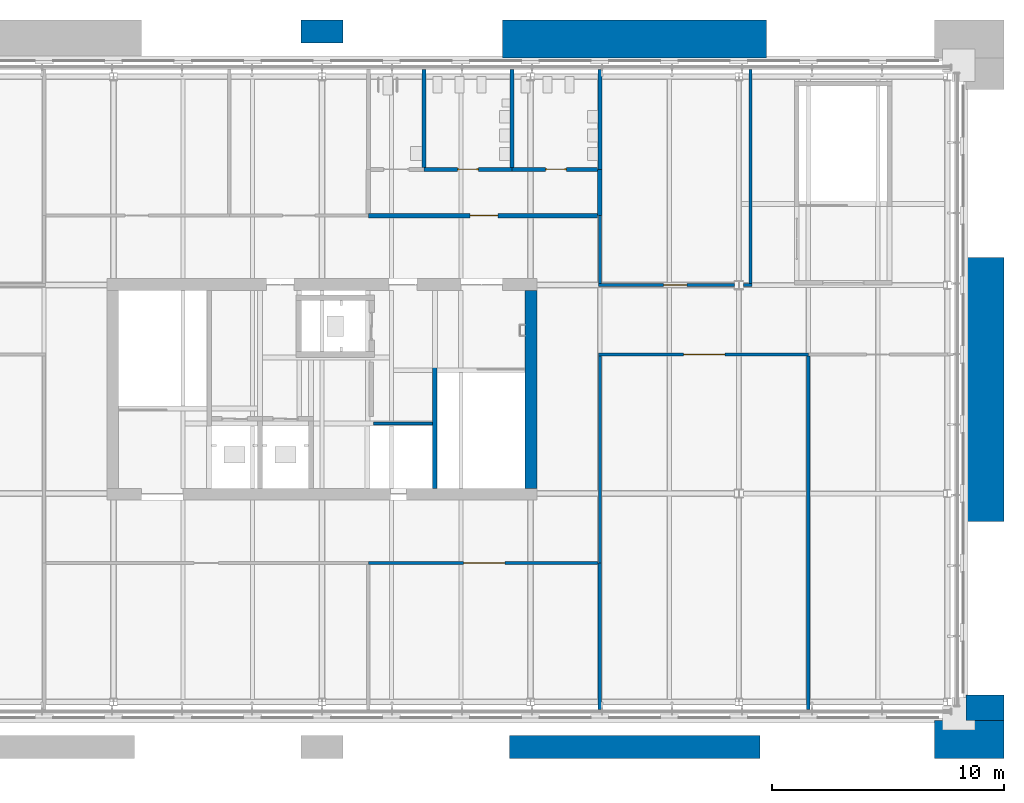
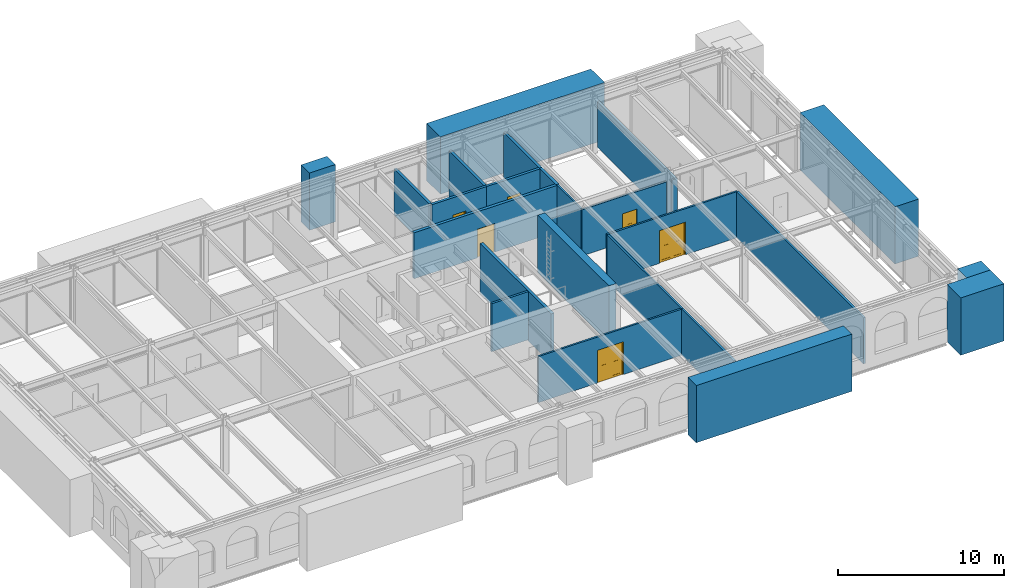
# One storey, part 14 of 24: 25 walls, 6 doors, 6 openings.
"""IFC4 building model written with IfcOpenShell, lengths in metres."""

import ifcopenshell
import ifcopenshell.guid

model = None  # the IFC model being written
_history = None  # IfcOwnerHistory: only IFC2X3 demands one
_inside = {}  # id of a spatial element -> (the spatial element, [elements in it])
_under = {}  # id of a project, library or spatial element -> (it, [spatial elements below it])
_declared = {}  # id of a project -> (the project, [libraries it declares])
_typed = {}  # id of a type object -> (the type object, [elements of that type])
_made_of = {}  # id of a material, layer set ... -> (it, [elements and type objects made of it])


def new_model(schema):
    """Start an empty IFC model of exactly this schema.

    Asked for "IFC4X3", IfcOpenShell would pick the latest addendum, in which some entities
    have other attributes; the version numbers below select the first issue.
    IFC2X3 requires an IfcOwnerHistory on every rooted entity: one is made here for all.
    """
    global model, _history
    if schema == "IFC4X3":
        model = ifcopenshell.file(schema_version=(4, 3, 0, 0))
    else:
        model = ifcopenshell.file(schema=schema)
    _inside.clear()
    _under.clear()
    _declared.clear()
    _typed.clear()
    _made_of.clear()
    _history = None
    if model.schema == "IFC2X3":
        org = make("IfcOrganization", Name="unknown")
        user = make(
            "IfcPersonAndOrganization",
            ThePerson=make("IfcPerson", FamilyName="unknown"),
            TheOrganization=org,
        )
        app = make(
            "IfcApplication",
            ApplicationDeveloper=org,
            Version="unknown",
            ApplicationFullName="unknown",
            ApplicationIdentifier="unknown",
        )
        _history = make(
            "IfcOwnerHistory",
            OwningUser=user,
            OwningApplication=app,
            ChangeAction="ADDED",
            CreationDate=0,
        )
    return model


def make(cls, **values):
    """One entity of the class cls with the attributes given. An attribute that is None is left unset."""
    return model.create_entity(
        cls, **{name: value for name, value in values.items() if value is not None}
    )


def rooted(cls, **values):
    """An entity with a GlobalId (a new one), such as an element, a storey or a relation."""
    return make(cls, GlobalId=ifcopenshell.guid.new(), OwnerHistory=_history, **values)


def si_unit(unit_type, name, prefix=None):
    """IfcSIUnit, for example si_unit("LENGTHUNIT", "METRE", prefix="MILLI")."""
    return make("IfcSIUnit", UnitType=unit_type, Prefix=prefix, Name=name)


def assignment(units):
    """IfcUnitAssignment: the units of a project."""
    return None if units is None else make("IfcUnitAssignment", Units=units)


def point(xyz):
    """IfcCartesianPoint."""
    return None if xyz is None else make("IfcCartesianPoint", Coordinates=xyz)


def direction(xyz):
    """IfcDirection."""
    return None if xyz is None else make("IfcDirection", DirectionRatios=xyz)


def frame(location, z_axis=None, x_axis=None):
    """IfcAxis2Placement3D, a coordinate frame: its origin and axes. An axis left out is left unset."""
    return make(
        "IfcAxis2Placement3D",
        Location=point(location),
        Axis=direction(z_axis),
        RefDirection=direction(x_axis),
    )


def frame_2d(location, x_axis=None):
    """IfcAxis2Placement2D, a coordinate frame in the plane: its origin and x axis."""
    return make(
        "IfcAxis2Placement2D", Location=point(location), RefDirection=direction(x_axis)
    )


def origin():
    """The frame at (0, 0, 0) with its axes left unset."""
    return frame((0.0, 0.0, 0.0))


def place(relative_to, where):
    """IfcLocalPlacement: puts the frame where relative to a parent placement (None: the world)."""
    return make(
        "IfcLocalPlacement", PlacementRelTo=relative_to, RelativePlacement=where
    )


def context(
    kind, dimensions, precision=None, world=None, true_north=None, identifier=None
):
    """IfcGeometricRepresentationContext, for example the 3D "Model" context."""
    return make(
        "IfcGeometricRepresentationContext",
        ContextIdentifier=identifier,
        ContextType=kind,
        CoordinateSpaceDimension=dimensions,
        Precision=precision,
        WorldCoordinateSystem=world,
        TrueNorth=true_north,
    )


def subcontext(parent, identifier, kind, view, scale=None):
    """IfcGeometricRepresentationSubContext, for example "Body" below "Model"."""
    return make(
        "IfcGeometricRepresentationSubContext",
        ContextIdentifier=identifier,
        ContextType=kind,
        ParentContext=parent,
        TargetScale=scale,
        TargetView=view,
    )


def project(units=None, contexts=None):
    """IfcProject with its units and contexts."""
    return rooted(
        "IfcProject",
        Name="project",
        RepresentationContexts=contexts,
        UnitsInContext=assignment(units),
    )


def spatial(cls, under=None, at=None, **own):
    """A site, building, storey or space (cls), placed at a placement, below another one or the project."""
    s = rooted(cls, ObjectPlacement=at, **own)
    if under is not None:
        _under.setdefault(under.id(), (under, []))[1].append(s)
    return s


def polyline(points):
    """IfcPolyline through the points."""
    return make("IfcPolyline", Points=[point(p) for p in points])


def profile(cls, at=None, kind="AREA", **sizes):
    """A parametric profile (cls). Its sizes go by their IFC names, for example OverallWidth=200.0."""
    return make(cls, ProfileType=kind, Position=at, **sizes)


def rectangle(**sizes):
    """IfcRectangleProfileDef."""
    return profile("IfcRectangleProfileDef", **sizes)


def outline(outer, holes=None, kind="AREA"):
    """IfcArbitraryClosedProfileDef: a profile drawn as a closed curve; with holes, ...WithVoids."""
    if holes is None:
        return make("IfcArbitraryClosedProfileDef", ProfileType=kind, OuterCurve=outer)
    return make(
        "IfcArbitraryProfileDefWithVoids",
        ProfileType=kind,
        OuterCurve=outer,
        InnerCurves=holes,
    )


def extrude(swept, where, along, depth):
    """IfcExtrudedAreaSolid: the profile swept, set in the frame where, extruded along a direction by depth."""
    return make(
        "IfcExtrudedAreaSolid",
        SweptArea=swept,
        Position=where,
        ExtrudedDirection=direction(along),
        Depth=depth,
    )


def shape(context_of_items, identifier, shape_type, items):
    """IfcShapeRepresentation: the items that make up one representation, for example the "Body"."""
    return make(
        "IfcShapeRepresentation",
        ContextOfItems=context_of_items,
        RepresentationIdentifier=identifier,
        RepresentationType=shape_type,
        Items=items,
    )


def material(Name=None, Category=None):
    """IfcMaterial."""
    return make("IfcMaterial", Name=Name, Category=Category)


def layer(
    of_material, thickness, ventilated=None, Name=None, Category=None, Priority=None
):
    """IfcMaterialLayer: one layer of a wall or slab, of a material (None: an air gap)."""
    return make(
        "IfcMaterialLayer",
        Material=of_material,
        LayerThickness=thickness,
        IsVentilated=ventilated,
        Name=Name,
        Category=Category,
        Priority=Priority,
    )


def layer_set(layers, Name=None):
    """IfcMaterialLayerSet."""
    return make("IfcMaterialLayerSet", MaterialLayers=layers, LayerSetName=Name)


def made_of(thing, what):
    """Note that an element or type object is made of a material, layer set ...; save() writes the relation."""
    if what is not None:
        _made_of.setdefault(what.id(), (what, []))[1].append(thing)
    return thing


def type_object(cls, material=None, **own):
    """A type object (cls), such as IfcWallType, which elements share."""
    return made_of(rooted(cls, **own), material)


def element(
    cls,
    number,
    at=None,
    inside=None,
    cuts=None,
    type_object=None,
    material=None,
    context=None,
    identifier="Body",
    shape_type=None,
    held_by="IfcProductDefinitionShape",
    body=None,
    shapes=None,
    **own,
):
    """One element of the class cls, such as IfcWall. Its Tag is "e" and its number.

    at: its placement. inside: the storey or other place that contains it. cuts: it is an
    opening in that element (IfcRelVoidsElement). A single representation is given by context,
    identifier, shape_type and body (its items); several are given by shapes. held_by: the class
    of the entity that holds the representations. save() writes the other relations.
    """
    e = rooted(cls, Tag="e%d" % number, ObjectPlacement=at, **own)
    if body is not None:
        shapes = [shape(context, identifier, shape_type, body)]
    if shapes is not None:
        e.Representation = make(held_by, Representations=shapes)
    if inside is not None:
        _inside.setdefault(inside.id(), (inside, []))[1].append(e)
    if cuts is not None:
        rooted(
            "IfcRelVoidsElement", RelatingBuildingElement=cuts, RelatedOpeningElement=e
        )
    if type_object is not None:
        _typed.setdefault(type_object.id(), (type_object, []))[1].append(e)
    return made_of(e, material)


def fill(opening, filler):
    """IfcRelFillsElement: the door or window that sits in an opening."""
    return rooted(
        "IfcRelFillsElement",
        RelatingOpeningElement=opening,
        RelatedBuildingElement=filler,
    )


def aggregate(whole, parts):
    """IfcRelAggregates: a whole, such as a stair, and the parts it consists of."""
    return rooted("IfcRelAggregates", RelatingObject=whole, RelatedObjects=parts)


def save(model, path):
    """Write the relations noted so far, then the file.

    IfcRelAggregates (storeys below a building ...), IfcRelContainedInSpatialStructure (elements
    in a storey), IfcRelDefinesByType, IfcRelAssociatesMaterial and IfcRelDeclares: one each for
    every whole, place, type object, material and project.
    """
    for whole, parts in _under.values():
        aggregate(whole, parts)
    for where, things in _inside.values():
        rooted(
            "IfcRelContainedInSpatialStructure",
            RelatedElements=things,
            RelatingStructure=where,
        )
    for kind, things in _typed.values():
        rooted("IfcRelDefinesByType", RelatedObjects=things, RelatingType=kind)
    for what, things in _made_of.values():
        rooted("IfcRelAssociatesMaterial", RelatedObjects=things, RelatingMaterial=what)
    for by, libraries in _declared.values():
        rooted("IfcRelDeclares", RelatingContext=by, RelatedDefinitions=libraries)
    model.write(path)


model = new_model("IFC4")

# Units and contexts
model_context = context("Model", 3, precision=1e-05, world=origin(), true_north=direction((0.0, 1.0)))
body_context = subcontext(model_context, "Body", "Model", "MODEL_VIEW")
ifc_project = project(units=[si_unit("LENGTHUNIT", "METRE"), si_unit("AREAUNIT", "SQUARE_METRE"), si_unit("VOLUMEUNIT", "CUBIC_METRE"), si_unit("PLANEANGLEUNIT", "RADIAN"), si_unit("MASSUNIT", "GRAM", prefix="KILO")], contexts=[model_context])

# Site, building, storey
site_placement = place(None, origin())
site = spatial("IfcSite", under=ifc_project, at=site_placement, CompositionType="ELEMENT")
building_placement = place(site_placement, origin())
building = spatial("IfcBuilding", under=site, at=building_placement, Name="Baradari Gate Terminus", CompositionType="ELEMENT")
storey_placement = place(building_placement, frame((0.0, 0.0, 32.699951171875)))
storey = spatial("IfcBuildingStorey", under=building, at=storey_placement, Name="L07", CompositionType="ELEMENT", Elevation=32.699951171875)

# Wall, opening, door
ifc_material_1 = material(Name="Gypsum board")
ifc_layer_1 = layer(ifc_material_1, 0.125)
ifc_layer_set_1 = layer_set([ifc_layer_1], Name="Gypsum board")
wall_type_1 = type_object("IfcWallType", Name="Corridor partition PT-5 125 EI 30", PredefinedType="PARTITIONING", material=ifc_layer_set_1)
wall_1_placement = place(storey_placement, frame((47.925048828125, 123.0, 0.0), z_axis=(0.0, 0.0, 1.0), x_axis=(-1.0, 0.0, 0.0)))
wall_1 = element("IfcWall", 1, at=wall_1_placement, inside=storey, type_object=wall_type_1, Name="PT-5 partition Corridor / Training Classroom 2", PredefinedType="PARTITIONING", context=body_context, shape_type="SweptSolid", body=[
    extrude(rectangle(XDim=9.925048828125, YDim=0.125, at=frame_2d((4.96240234375, 0.0))), origin(), (0.0, 0.0, 1.0), 3.382080078125),
])
opening_1_placement = place(wall_1_placement, frame((4.02490234375, 0.0, 0.0)))
opening_1 = element("IfcOpeningElement", 2, at=opening_1_placement, cuts=wall_1, Name="Opening D07-023", PredefinedType="OPENING", context=body_context, shape_type="SweptSolid", body=[
    extrude(rectangle(XDim=1.800048828125, YDim=2.39990234375, at=frame_2d((0.89990234375, 1.199951171875))), frame((0.0, 0.072509765625, 0.0), z_axis=(0.0, -1.0, 0.0), x_axis=(1.0, 0.0, 0.0)), (0.0, 0.0, 1.0), 0.14501953125),
])
ifc_material_2 = material(Name="Steel S275", Category="steel")
door_type_1 = type_object("IfcDoorType", Name="Fire door FI-1800x2400-FD30S 1800x2400 FD30S", OperationType="DOUBLE_DOOR_SINGLE_SWING", PredefinedType="DOOR", material=ifc_material_2)
door_1_placement = place(opening_1_placement, origin())
door_1 = element("IfcDoor", 3, at=door_1_placement, inside=storey, type_object=door_type_1, Name="Door Training Classroom 2", OperationType="DOUBLE_DOOR_SINGLE_SWING", OverallHeight=2.4, OverallWidth=1.8, PredefinedType="DOOR", context=body_context, shape_type="SweptSolid", body=[
    extrude(outline(polyline([(0.0, 0.0), (0.070068359375, 0.0), (0.070068359375, 2.329833984375), (1.72998046875, 2.329833984375), (1.72998046875, 0.0), (1.800048828125, 0.0), (1.800048828125, 2.39990234375), (0.0, 2.39990234375), (0.0, 0.0)])), frame((0.0, 0.02490234375, 0.0), z_axis=(0.0, -1.0, 0.0), x_axis=(1.0, 0.0, 0.0)), (0.0, 0.0, 1.0), 0.050048828125),
    extrude(outline(polyline([(0.073974609375, 0.010009765625), (0.89697265625, 0.010009765625), (0.89697265625, 2.325927734375), (0.073974609375, 2.325927734375), (0.073974609375, 0.010009765625)]), holes=[polyline([(0.194091796875, 0.159912109375), (0.77685546875, 0.159912109375), (0.77685546875, 1.010009765625), (0.194091796875, 1.010009765625), (0.194091796875, 0.159912109375)]), polyline([(0.33544921875, 1.159912109375), (0.635498046875, 1.159912109375), (0.635498046875, 1.760009765625), (0.33544921875, 1.760009765625), (0.33544921875, 1.159912109375)])]), frame((0.0, 0.017333984375, 0.0), z_axis=(0.0, -1.0, 0.0), x_axis=(1.0, 0.0, 0.0)), (0.0, 0.0, 1.0), 0.034912109375),
    extrude(rectangle(XDim=0.582763671875, YDim=0.85009765625, at=frame_2d((0.4853515625, 0.5849609375))), frame((0.0, 0.008544921875, 0.0), z_axis=(0.0, -1.0, 0.0), x_axis=(1.0, 0.0, 0.0)), (0.0, 0.0, 1.0), 0.017333984375),
    extrude(rectangle(XDim=0.300048828125, YDim=0.60009765625, at=frame_2d((0.4853515625, 1.4599609375))), frame((0.0, 0.005859375, 0.0), z_axis=(0.0, -1.0, 0.0), x_axis=(1.0, 0.0, 0.0)), (0.0, 0.0, 1.0), 0.011962890625),
    extrude(outline(polyline([(0.903076171875, 0.010009765625), (1.72607421875, 0.010009765625), (1.72607421875, 2.325927734375), (0.903076171875, 2.325927734375), (0.903076171875, 0.010009765625)]), holes=[polyline([(1.023193359375, 0.159912109375), (1.60595703125, 0.159912109375), (1.60595703125, 1.010009765625), (1.023193359375, 1.010009765625), (1.023193359375, 0.159912109375)]), polyline([(1.16455078125, 1.159912109375), (1.464599609375, 1.159912109375), (1.464599609375, 1.760009765625), (1.16455078125, 1.760009765625), (1.16455078125, 1.159912109375)])]), frame((0.0, 0.017333984375, 0.0), z_axis=(0.0, -1.0, 0.0), x_axis=(1.0, 0.0, 0.0)), (0.0, 0.0, 1.0), 0.034912109375),
    extrude(rectangle(XDim=0.582763671875, YDim=0.85009765625, at=frame_2d((1.314453125, 0.5849609375))), frame((0.0, 0.008544921875, 0.0), z_axis=(0.0, -1.0, 0.0), x_axis=(1.0, 0.0, 0.0)), (0.0, 0.0, 1.0), 0.017333984375),
    extrude(rectangle(XDim=0.300048828125, YDim=0.60009765625, at=frame_2d((1.314453125, 1.4599609375))), frame((0.0, 0.005859375, 0.0), z_axis=(0.0, -1.0, 0.0), x_axis=(1.0, 0.0, 0.0)), (0.0, 0.0, 1.0), 0.011962890625),
])
fill(opening_1, door_1)

wall_2_placement = place(storey_placement, frame((57.0, 132.0, 0.0), z_axis=(0.0, 0.0, 1.0), x_axis=(-1.0, 0.0, 0.0)))
wall_2 = element("IfcWall", 4, at=wall_2_placement, inside=storey, type_object=wall_type_1, Name="PT-5 partition Corridor / Staff Canteen", PredefinedType="PARTITIONING", context=body_context, shape_type="SweptSolid", body=[
    extrude(rectangle(XDim=9.0625, YDim=0.125, at=frame_2d((4.53125, 0.0))), origin(), (0.0, 0.0, 1.0), 3.382080078125),
])
opening_2_placement = place(wall_2_placement, frame((3.60009765625, 0.0, 0.0)))
opening_2 = element("IfcOpeningElement", 5, at=opening_2_placement, cuts=wall_2, Name="Opening D07-018", PredefinedType="OPENING", context=body_context, shape_type="SweptSolid", body=[
    extrude(rectangle(XDim=1.800048828125, YDim=2.39990234375, at=frame_2d((0.89990234375, 1.199951171875))), frame((0.0, 0.072509765625, 0.0), z_axis=(0.0, -1.0, 0.0), x_axis=(1.0, 0.0, 0.0)), (0.0, 0.0, 1.0), 0.14501953125),
])
door_2_placement = place(opening_2_placement, origin())
door_2 = element("IfcDoor", 6, at=door_2_placement, inside=storey, type_object=door_type_1, Name="Door Staff Canteen", OperationType="DOUBLE_DOOR_SINGLE_SWING", OverallHeight=2.4, OverallWidth=1.8, PredefinedType="DOOR", context=body_context, shape_type="SweptSolid", body=[
    extrude(outline(polyline([(0.0, 0.0), (0.070068359375, 0.0), (0.070068359375, 2.329833984375), (1.72998046875, 2.329833984375), (1.72998046875, 0.0), (1.800048828125, 0.0), (1.800048828125, 2.39990234375), (0.0, 2.39990234375), (0.0, 0.0)])), frame((0.0, 0.02490234375, 0.0), z_axis=(0.0, -1.0, 0.0), x_axis=(1.0, 0.0, 0.0)), (0.0, 0.0, 1.0), 0.050048828125),
    extrude(outline(polyline([(0.073974609375, 0.010009765625), (0.89697265625, 0.010009765625), (0.89697265625, 2.325927734375), (0.073974609375, 2.325927734375), (0.073974609375, 0.010009765625)]), holes=[polyline([(0.194091796875, 0.159912109375), (0.77685546875, 0.159912109375), (0.77685546875, 1.010009765625), (0.194091796875, 1.010009765625), (0.194091796875, 0.159912109375)]), polyline([(0.33544921875, 1.159912109375), (0.635498046875, 1.159912109375), (0.635498046875, 1.760009765625), (0.33544921875, 1.760009765625), (0.33544921875, 1.159912109375)])]), frame((0.0, 0.017333984375, 0.0), z_axis=(0.0, -1.0, 0.0), x_axis=(1.0, 0.0, 0.0)), (0.0, 0.0, 1.0), 0.034912109375),
    extrude(rectangle(XDim=0.582763671875, YDim=0.85009765625, at=frame_2d((0.4853515625, 0.5849609375))), frame((0.0, 0.008544921875, 0.0), z_axis=(0.0, -1.0, 0.0), x_axis=(1.0, 0.0, 0.0)), (0.0, 0.0, 1.0), 0.017333984375),
    extrude(rectangle(XDim=0.300048828125, YDim=0.60009765625, at=frame_2d((0.4853515625, 1.4599609375))), frame((0.0, 0.005859375, 0.0), z_axis=(0.0, -1.0, 0.0), x_axis=(1.0, 0.0, 0.0)), (0.0, 0.0, 1.0), 0.011962890625),
    extrude(outline(polyline([(0.903076171875, 0.010009765625), (1.72607421875, 0.010009765625), (1.72607421875, 2.325927734375), (0.903076171875, 2.325927734375), (0.903076171875, 0.010009765625)]), holes=[polyline([(1.023193359375, 0.159912109375), (1.60595703125, 0.159912109375), (1.60595703125, 1.010009765625), (1.023193359375, 1.010009765625), (1.023193359375, 0.159912109375)]), polyline([(1.16455078125, 1.159912109375), (1.464599609375, 1.159912109375), (1.464599609375, 1.760009765625), (1.16455078125, 1.760009765625), (1.16455078125, 1.159912109375)])]), frame((0.0, 0.017333984375, 0.0), z_axis=(0.0, -1.0, 0.0), x_axis=(1.0, 0.0, 0.0)), (0.0, 0.0, 1.0), 0.034912109375),
    extrude(rectangle(XDim=0.582763671875, YDim=0.85009765625, at=frame_2d((1.314453125, 0.5849609375))), frame((0.0, 0.008544921875, 0.0), z_axis=(0.0, -1.0, 0.0), x_axis=(1.0, 0.0, 0.0)), (0.0, 0.0, 1.0), 0.017333984375),
    extrude(rectangle(XDim=0.300048828125, YDim=0.60009765625, at=frame_2d((1.314453125, 1.4599609375))), frame((0.0, 0.005859375, 0.0), z_axis=(0.0, -1.0, 0.0), x_axis=(1.0, 0.0, 0.0)), (0.0, 0.0, 1.0), 0.011962890625),
])
fill(opening_2, door_2)

# Walls
wall_3_placement = place(storey_placement, frame((48.0, 131.9375, 0.0), z_axis=(0.0, 0.0, 1.0), x_axis=(0.0, -1.0, 0.0)))
element("IfcWall", 7, at=wall_3_placement, inside=storey, type_object=wall_type_1, Name="PT-5 partition Corridor / Staff Canteen", PredefinedType="PARTITIONING", context=body_context, shape_type="SweptSolid", body=[
    extrude(rectangle(XDim=8.9375, YDim=0.125, at=frame_2d((4.46875, 0.0))), origin(), (0.0, 0.0, 1.0), 3.382080078125),
])
wall_4_placement = place(storey_placement, frame((48.0, 138.0, 0.0), z_axis=(0.0, 0.0, 1.0), x_axis=(0.0, -1.0, 0.0)))
element("IfcWall", 8, at=wall_4_placement, inside=storey, type_object=wall_type_1, Name="PT-5 partition Corridor / Welfare Store", PredefinedType="PARTITIONING", context=body_context, shape_type="SweptSolid", body=[
    extrude(rectangle(XDim=2.9375, YDim=0.125, at=frame_2d((1.46875, 0.0))), origin(), (0.0, 0.0, 1.0), 3.382080078125),
])

# Wall, opening, door
wall_5_placement = place(storey_placement, frame((47.9375, 135.0, 0.0), z_axis=(0.0, 0.0, 1.0), x_axis=(1.0, 0.0, 0.0)))
wall_5 = element("IfcWall", 9, at=wall_5_placement, inside=storey, type_object=wall_type_1, Name="PT-5 partition Corridor / Welfare Store", PredefinedType="PARTITIONING", context=body_context, shape_type="SweptSolid", body=[
    extrude(rectangle(XDim=5.864990234375, YDim=0.125, at=frame_2d((2.9326171875, 0.0))), origin(), (0.0, 0.0, 1.0), 3.382080078125),
])
opening_3_placement = place(wall_5_placement, frame((2.8125, 0.0, 0.0)))
opening_3 = element("IfcOpeningElement", 10, at=opening_3_placement, cuts=wall_5, Name="Opening D07-024", PredefinedType="OPENING", context=body_context, shape_type="SweptSolid", body=[
    extrude(rectangle(XDim=1.0, YDim=2.10009765625, at=frame_2d((0.5, 1.050048828125))), frame((0.0, 0.072509765625, 0.0), z_axis=(0.0, -1.0, 0.0), x_axis=(1.0, 0.0, 0.0)), (0.0, 0.0, 1.0), 0.14501953125),
])
ifc_material_3 = material(Name="Steel S275", Category="steel")
door_type_2 = type_object("IfcDoorType", Name="Fire door FI-1000-FD30S 1000x2100 FD30S", OperationType="SINGLE_SWING_LEFT", PredefinedType="DOOR", material=ifc_material_3)
door_3_placement = place(opening_3_placement, origin())
door_3 = element("IfcDoor", 11, at=door_3_placement, inside=storey, type_object=door_type_2, Name="Door Welfare Store", OperationType="SINGLE_SWING_LEFT", OverallHeight=2.1, OverallWidth=1.0, PredefinedType="DOOR", context=body_context, shape_type="SweptSolid", body=[
    extrude(outline(polyline([(0.0, 0.0), (0.070068359375, 0.0), (0.070068359375, 2.030029296875), (0.929931640625, 2.030029296875), (0.929931640625, 0.0), (1.0, 0.0), (1.0, 2.10009765625), (0.0, 2.10009765625), (0.0, 0.0)])), frame((0.0, 0.02490234375, 0.0), z_axis=(0.0, -1.0, 0.0), x_axis=(1.0, 0.0, 0.0)), (0.0, 0.0, 1.0), 0.050048828125),
    extrude(outline(polyline([(0.073974609375, 0.010009765625), (0.926025390625, 0.010009765625), (0.926025390625, 2.026123046875), (0.073974609375, 2.026123046875), (0.073974609375, 0.010009765625)]), holes=[polyline([(0.194091796875, 0.159912109375), (0.805908203125, 0.159912109375), (0.805908203125, 1.010009765625), (0.194091796875, 1.010009765625), (0.194091796875, 0.159912109375)]), polyline([(0.35009765625, 1.159912109375), (0.64990234375, 1.159912109375), (0.64990234375, 1.760009765625), (0.35009765625, 1.760009765625), (0.35009765625, 1.159912109375)])]), frame((0.0, 0.017333984375, 0.0), z_axis=(0.0, -1.0, 0.0), x_axis=(1.0, 0.0, 0.0)), (0.0, 0.0, 1.0), 0.034912109375),
    extrude(rectangle(XDim=0.61181640625, YDim=0.85009765625, at=frame_2d((0.5, 0.5849609375))), frame((0.0, 0.008544921875, 0.0), z_axis=(0.0, -1.0, 0.0), x_axis=(1.0, 0.0, 0.0)), (0.0, 0.0, 1.0), 0.017333984375),
    extrude(rectangle(XDim=0.2998046875, YDim=0.60009765625, at=frame_2d((0.5, 1.4599609375))), frame((0.0, 0.005859375, 0.0), z_axis=(0.0, -1.0, 0.0), x_axis=(1.0, 0.0, 0.0)), (0.0, 0.0, 1.0), 0.011962890625),
])
fill(opening_3, door_3)

# Walls
wall_6_placement = place(storey_placement, frame((54.197509765625, 135.0, 0.0), z_axis=(0.0, 0.0, 1.0), x_axis=(1.0, 0.0, 0.0)))
element("IfcWall", 12, at=wall_6_placement, inside=storey, type_object=wall_type_1, Name="PT-5 partition Corridor / Welfare Store", PredefinedType="PARTITIONING", context=body_context, shape_type="SweptSolid", body=[
    extrude(rectangle(XDim=0.364990234375, YDim=0.125, at=frame_2d((0.1826171875, 0.0))), origin(), (0.0, 0.0, 1.0), 3.382080078125),
])
wall_7_placement = place(storey_placement, frame((54.5, 135.0625, 0.0), z_axis=(0.0, 0.0, 1.0), x_axis=(0.0, 1.0, 0.0)))
element("IfcWall", 13, at=wall_7_placement, inside=storey, type_object=wall_type_1, Name="PT-5 partition Corridor (Stair Passage) / Welfare Store", PredefinedType="PARTITIONING", context=body_context, shape_type="SweptSolid", body=[
    extrude(rectangle(XDim=9.25244140625, YDim=0.125, at=frame_2d((4.626220703125, 0.0))), origin(), (0.0, 0.0, 1.0), 3.382080078125),
])

# Wall, opening, door
ifc_material_4 = material(Name="Blockwork wall, plastered, fire rated", Category="masonry")
ifc_layer_2 = layer(ifc_material_4, 0.199951171875)
ifc_layer_set_2 = layer_set([ifc_layer_2], Name="Blockwork wall, plastered, fire rated")
wall_type_2 = type_object("IfcWallType", Name="Lobby partition PT-4 200 EI 60", PredefinedType="PARTITIONING", material=ifc_layer_set_2)
wall_8_placement = place(storey_placement, frame((38.0, 138.0, 0.0), z_axis=(0.0, 0.0, 1.0), x_axis=(1.0, 0.0, 0.0)))
wall_8 = element("IfcWall", 14, at=wall_8_placement, inside=storey, type_object=wall_type_2, Name="PT-4 partition Corridor / WC Lobby", PredefinedType="PARTITIONING", context=body_context, shape_type="SweptSolid", body=[
    extrude(rectangle(XDim=9.89990234375, YDim=0.199951171875, at=frame_2d((4.949951171875, 0.0))), origin(), (0.0, 0.0, 1.0), 3.382080078125),
])
opening_4_placement = place(wall_8_placement, frame((4.39990234375, 0.0, 0.0)))
opening_4 = element("IfcOpeningElement", 15, at=opening_4_placement, cuts=wall_8, Name="Opening D07-011", PredefinedType="OPENING", context=body_context, shape_type="SweptSolid", body=[
    extrude(rectangle(XDim=1.199951171875, YDim=2.10009765625, at=frame_2d((0.60009765625, 1.050048828125))), frame((0.0, 0.10986328125, 0.0), z_axis=(0.0, -1.0, 0.0), x_axis=(1.0, 0.0, 0.0)), (0.0, 0.0, 1.0), 0.219970703125),
])
ifc_material_5 = material(Name="Steel S275", Category="steel")
door_type_3 = type_object("IfcDoorType", Name="Fire door FI-1200-FD60S 1200x2100 FD60S", OperationType="DOUBLE_DOOR_SINGLE_SWING", PredefinedType="DOOR", material=ifc_material_5)
door_4_placement = place(opening_4_placement, origin())
door_4 = element("IfcDoor", 16, at=door_4_placement, inside=storey, type_object=door_type_3, Name="Door WC Lobby", OperationType="DOUBLE_DOOR_SINGLE_SWING", OverallHeight=2.1, OverallWidth=1.2, PredefinedType="DOOR", context=body_context, shape_type="SweptSolid", body=[
    extrude(outline(polyline([(0.0, 0.0), (0.070068359375, 0.0), (0.070068359375, 2.030029296875), (1.1298828125, 2.030029296875), (1.1298828125, 0.0), (1.199951171875, 0.0), (1.199951171875, 2.10009765625), (0.0, 2.10009765625), (0.0, 0.0)])), frame((0.0, 0.02490234375, 0.0), z_axis=(0.0, -1.0, 0.0), x_axis=(1.0, 0.0, 0.0)), (0.0, 0.0, 1.0), 0.050048828125),
    extrude(outline(polyline([(0.073974609375, 0.010009765625), (0.596923828125, 0.010009765625), (0.596923828125, 2.026123046875), (0.073974609375, 2.026123046875), (0.073974609375, 0.010009765625)]), holes=[polyline([(0.178466796875, 0.372802734375), (0.492431640625, 0.372802734375), (0.492431640625, 1.7841796875), (0.178466796875, 1.7841796875), (0.178466796875, 0.372802734375)])]), frame((0.0, 0.017333984375, 0.0), z_axis=(0.0, -1.0, 0.0), x_axis=(1.0, 0.0, 0.0)), (0.0, 0.0, 1.0), 0.034912109375),
    extrude(rectangle(XDim=0.31396484375, YDim=1.411376953125, at=frame_2d((0.33544921875, 1.07861328125))), frame((0.0, 0.008544921875, 0.0), z_axis=(0.0, -1.0, 0.0), x_axis=(1.0, 0.0, 0.0)), (0.0, 0.0, 1.0), 0.017333984375),
    extrude(outline(polyline([(0.60302734375, 0.010009765625), (1.1259765625, 0.010009765625), (1.1259765625, 2.026123046875), (0.60302734375, 2.026123046875), (0.60302734375, 0.010009765625)]), holes=[polyline([(0.70751953125, 0.372802734375), (1.021484375, 0.372802734375), (1.021484375, 1.7841796875), (0.70751953125, 1.7841796875), (0.70751953125, 0.372802734375)])]), frame((0.0, 0.017333984375, 0.0), z_axis=(0.0, -1.0, 0.0), x_axis=(1.0, 0.0, 0.0)), (0.0, 0.0, 1.0), 0.034912109375),
    extrude(rectangle(XDim=0.31396484375, YDim=1.411376953125, at=frame_2d((0.864501953125, 1.07861328125))), frame((0.0, 0.008544921875, 0.0), z_axis=(0.0, -1.0, 0.0), x_axis=(1.0, 0.0, 0.0)), (0.0, 0.0, 1.0), 0.017333984375),
])
fill(opening_4, door_4)

# Walls
wall_9_placement = place(storey_placement, frame((48.0, 140.0, 0.0), z_axis=(0.0, 0.0, 1.0), x_axis=(0.0, -1.0, 0.0)))
element("IfcWall", 17, at=wall_9_placement, inside=storey, type_object=wall_type_2, Name="PT-4 partition WC Lobby / Welfare Store", PredefinedType="PARTITIONING", context=body_context, shape_type="SweptSolid", body=[
    extrude(rectangle(XDim=2.0, YDim=0.199951171875, at=frame_2d((1.0, 0.0))), origin(), (0.0, 0.0, 1.0), 3.382080078125),
])
ifc_material_6 = material(Name="Concrete C40/50", Category="concrete")
ifc_layer_3 = layer(ifc_material_6, 0.5)
ifc_layer_set_3 = layer_set([ifc_layer_3], Name="Concrete C40/50")
wall_type_3 = type_object("IfcWallType", Name="Operations block core wall CWL02 500", PredefinedType="SOLIDWALL", material=ifc_layer_set_3)
wall_10_placement = place(storey_placement, frame((45.02490234375, 126.22509765625, 0.0), z_axis=(0.0, 0.0, 1.0), x_axis=(0.0, 1.0, 0.0)))
element("IfcWall", 18, at=wall_10_placement, inside=storey, type_object=wall_type_3, Name="Operations block core wall CT E L07", PredefinedType="SOLIDWALL", context=body_context, shape_type="SweptSolid", body=[
    extrude(rectangle(XDim=8.5498046875, YDim=0.5, at=frame_2d((4.27490234375, 0.0))), origin(), (0.0, 0.0, 1.0), 4.199951171875),
])
ifc_material_7 = material(Name="Blockwork wall, plastered", Category="masonry")
ifc_layer_4 = layer(ifc_material_7, 0.14990234375)
ifc_layer_set_4 = layer_set([ifc_layer_4], Name="Blockwork wall, plastered")
wall_type_4 = type_object("IfcWallType", Name="Partition PT-2 150 EI 60", PredefinedType="PARTITIONING", material=ifc_layer_set_4)
wall_11_placement = place(storey_placement, frame((48.0, 116.68505859375, 0.0), z_axis=(0.0, 0.0, 1.0), x_axis=(0.0, 1.0, 0.0)))
element("IfcWall", 19, at=wall_11_placement, inside=storey, type_object=wall_type_4, Name="PT-2 partition Staff Canteen / Training Classroom 2", PredefinedType="PARTITIONING", context=body_context, shape_type="SweptSolid", body=[
    extrude(rectangle(XDim=6.31494140625, YDim=0.14990234375, at=frame_2d((3.157470703125, 0.0))), origin(), (0.0, 0.0, 1.0), 3.382080078125),
])
wall_12_placement = place(storey_placement, frame((57.0, 131.9375, 0.0), z_axis=(0.0, 0.0, 1.0), x_axis=(0.0, -1.0, 0.0)))
element("IfcWall", 20, at=wall_12_placement, inside=storey, type_object=wall_type_4, Name="PT-2 partition Staff Canteen / Canteen Kitchen", PredefinedType="PARTITIONING", context=body_context, shape_type="SweptSolid", body=[
    extrude(rectangle(XDim=15.25244140625, YDim=0.14990234375, at=frame_2d((7.626220703125, 0.0))), origin(), (0.0, 0.0, 1.0), 3.382080078125),
])
ifc_material_8 = material(Name="Blockwork wall, fire rated", Category="masonry")
ifc_layer_5 = layer(ifc_material_8, 0.14990234375)
ifc_layer_set_5 = layer_set([ifc_layer_5], Name="Blockwork wall, fire rated")
wall_type_5 = type_object("IfcWallType", Name="Riser wall RW-1 150 EI 120", PredefinedType="SOLIDWALL", material=ifc_layer_set_5)
wall_13_placement = place(storey_placement, frame((40.77294921875, 129.02490234375, 0.0), z_axis=(0.0, 0.0, 1.0), x_axis=(-1.0, 0.0, 0.0)))
element("IfcWall", 21, at=wall_13_placement, inside=storey, type_object=wall_type_5, Name="RW-1 partition Lift Lobby (Fire-fighting) / Riser", PredefinedType="SOLIDWALL", context=body_context, shape_type="SweptSolid", body=[
    extrude(rectangle(XDim=2.5478515625, YDim=0.14990234375, at=frame_2d((1.27392578125, 0.0))), origin(), (0.0, 0.0, 1.0), 3.525146484375),
])
ifc_material_9 = material(Name="Concrete C40/50 precast", Category="concrete")
ifc_layer_6 = layer(ifc_material_9, 1.55)
ifc_material_10 = material(Name="Sandstone cladding", Category="masonry")
ifc_layer_7 = layer(ifc_material_10, 0.1)
ifc_layer_set_6 = layer_set([ifc_layer_6, ifc_layer_7], Name="Concrete C40/50 precast")
wall_type_6 = type_object("IfcWallType", Name="Sandstone-faced precast frame pier WQ-4 1650", PredefinedType="SOLIDWALL", material=ifc_layer_set_6)
for number, where, z_axis, x_axis, name in (
    (22, (43.800048828125, 145.6201171875, 0.0), (0.0, 0.0, 1.0), (1.0, 0.0, 0.0), "Frame portal wall N face bay 2 1"),
    (23, (64.6201171875, 124.800048828125, 0.0), (0.0, 0.0, 1.0), (0.0, 1.0, 0.0), "Frame portal wall E face bay 1 1"),
):
    element("IfcWall", number, at=place(storey_placement, frame(where, z_axis=z_axis, x_axis=x_axis)), inside=storey, type_object=wall_type_6, Name=name, PredefinedType="SOLIDWALL", context=body_context, shape_type="SweptSolid", body=[
        extrude(outline(polyline([(11.39990234375, 0.0), (11.39990234375, 4.199951171875), (0.0, 4.199951171875), (0.0, 0.0), (11.39990234375, 0.0)])), frame((0.0, 0.824951171875, 0.0), z_axis=(0.0, -1.0, 0.0), x_axis=(1.0, 0.0, 0.0)), (0.0, 0.0, 1.0), 1.64990234375),
    ])
wall_14_placement = place(storey_placement, frame((62.445068359375, 115.3798828125, 0.0), z_axis=(0.0, 0.0, 1.0), x_axis=(1.0, 0.0, 0.0)))
element("IfcWall", 24, at=wall_14_placement, inside=storey, type_object=wall_type_6, Name="Corner pilaster SE leg A L07", PredefinedType="SOLIDWALL", context=body_context, shape_type="SweptSolid", body=[
    extrude(rectangle(XDim=3.0, YDim=1.64990234375, at=frame_2d((1.5, 0.0))), origin(), (0.0, 0.0, 1.0), 4.199951171875),
])
wall_15_placement = place(storey_placement, frame((64.6201171875, 116.205078125, 0.0), z_axis=(0.0, 0.0, 1.0), x_axis=(0.0, 1.0, 0.0)))
element("IfcWall", 25, at=wall_15_placement, inside=storey, type_object=wall_type_6, Name="Corner pilaster SE leg B L07", PredefinedType="SOLIDWALL", context=body_context, shape_type="SweptSolid", body=[
    extrude(rectangle(XDim=1.099853515625, YDim=1.64990234375, at=frame_2d((0.5498046875, 0.0))), origin(), (0.0, 0.0, 1.0), 4.199951171875),
])
ifc_layer_8 = layer(ifc_material_9, 0.9)
ifc_layer_9 = layer(ifc_material_10, 0.1)
ifc_layer_set_7 = layer_set([ifc_layer_8, ifc_layer_9], Name="Concrete C40/50 precast")
wall_type_7 = type_object("IfcWallType", Name="Sandstone-faced precast grid pier WQ-6 1000", PredefinedType="SOLIDWALL", material=ifc_layer_set_7)
wall_16_placement = place(storey_placement, frame((35.10009765625, 145.945068359375, 0.0), z_axis=(0.0, 0.0, 1.0), x_axis=(1.0, 0.0, 0.0)))
element("IfcWall", 26, at=wall_16_placement, inside=storey, type_object=wall_type_7, Name="Grid pier N face grid 36 L07", PredefinedType="SOLIDWALL", context=body_context, shape_type="SweptSolid", body=[
    extrude(rectangle(XDim=1.7998046875, YDim=1.0, at=frame_2d((0.89990234375, 0.0))), origin(), (0.0, 0.0, 1.0), 4.199951171875),
])
wall_17_placement = place(storey_placement, frame((44.10009765625, 115.054931640625, 0.0), z_axis=(0.0, 0.0, 1.0), x_axis=(1.0, 0.0, 0.0)))
element("IfcWall", 27, at=wall_17_placement, inside=storey, type_object=wall_type_7, Name="Frame portal wall S face bay 2 1", PredefinedType="SOLIDWALL", context=body_context, shape_type="SweptSolid", body=[
    extrude(outline(polyline([(10.800048828125, 0.0), (10.800048828125, 4.199951171875), (0.0, 4.199951171875), (0.0, 0.0), (10.800048828125, 0.0)])), frame((0.0, 0.5, 0.0), z_axis=(0.0, -1.0, 0.0), x_axis=(1.0, 0.0, 0.0)), (0.0, 0.0, 1.0), 1.0),
])
ifc_material_11 = material(Name="Concrete C40/50", Category="concrete")
ifc_layer_10 = layer(ifc_material_11, 0.199951171875)
ifc_layer_set_8 = layer_set([ifc_layer_10], Name="Concrete C40/50")
wall_type_8 = type_object("IfcWallType", Name="Stair enclosure wall SE-1 200 EI 120", PredefinedType="SOLIDWALL", material=ifc_layer_set_8)
wall_18_placement = place(storey_placement, frame((40.875, 126.22705078125, -0.1298828125), z_axis=(0.0, 0.0, 1.0), x_axis=(0.0, 1.0, 0.0)))
element("IfcWall", 28, at=wall_18_placement, inside=storey, type_object=wall_type_8, Name="Stair enclosure wall SE-1 ST-T2 L07 W", PredefinedType="SOLIDWALL", context=body_context, shape_type="SweptSolid", body=[
    extrude(rectangle(XDim=8.5458984375, YDim=0.199951171875, at=frame_2d((4.27294921875, 0.0))), origin(), (0.0, 0.0, 1.0), 3.666015625),
])

# Wall, opening, door
ifc_material_12 = material(Name="Blockwork wall, tiled both faces", Category="masonry")
ifc_layer_11 = layer(ifc_material_12, 0.175048828125)
ifc_layer_set_9 = layer_set([ifc_layer_11], Name="Blockwork wall, tiled both faces")
wall_type_9 = type_object("IfcWallType", Name="WC wet wall PT-6 175 EI 60", PredefinedType="PARTITIONING", material=ifc_layer_set_9)
wall_19_placement = place(storey_placement, frame((40.39990234375, 140.0, 0.0), z_axis=(0.0, 0.0, 1.0), x_axis=(1.0, 0.0, 0.0)))
wall_19 = element("IfcWall", 29, at=wall_19_placement, inside=storey, type_object=wall_type_9, Name="PT-6 partition WC Lobby / Male WC", PredefinedType="PARTITIONING", context=body_context, shape_type="SweptSolid", body=[
    extrude(rectangle(XDim=3.800048828125, YDim=0.175048828125, at=frame_2d((1.89990234375, 0.0))), origin(), (0.0, 0.0, 1.0), 3.382080078125),
])
opening_5_placement = place(wall_19_placement, frame((1.449951171875, 0.0, 0.0)))
opening_5 = element("IfcOpeningElement", 30, at=opening_5_placement, cuts=wall_19, Name="Opening D07-013", PredefinedType="OPENING", context=body_context, shape_type="SweptSolid", body=[
    extrude(rectangle(XDim=0.89990234375, YDim=2.10009765625, at=frame_2d((0.449951171875, 1.050048828125))), frame((0.0, 0.097412109375, 0.0), z_axis=(0.0, -1.0, 0.0), x_axis=(1.0, 0.0, 0.0)), (0.0, 0.0, 1.0), 0.195068359375),
])
ifc_material_13 = material(Name="Steel S275", Category="steel")
door_type_4 = type_object("IfcDoorType", Name="Fire door FI-900-FD60S 900x2100 FD60S", OperationType="SINGLE_SWING_LEFT", PredefinedType="DOOR", material=ifc_material_13)
door_5_placement = place(opening_5_placement, origin())
door_5 = element("IfcDoor", 31, at=door_5_placement, inside=storey, type_object=door_type_4, Name="Door Male WC", OperationType="SINGLE_SWING_LEFT", OverallHeight=2.1, OverallWidth=0.9, PredefinedType="DOOR", context=body_context, shape_type="SweptSolid", body=[
    extrude(outline(polyline([(0.0, 0.0), (0.070068359375, 0.0), (0.070068359375, 2.030029296875), (0.829833984375, 2.030029296875), (0.829833984375, 0.0), (0.89990234375, 0.0), (0.89990234375, 2.10009765625), (0.0, 2.10009765625), (0.0, 0.0)])), frame((0.0, 0.02490234375, 0.0), z_axis=(0.0, -1.0, 0.0), x_axis=(1.0, 0.0, 0.0)), (0.0, 0.0, 1.0), 0.050048828125),
    extrude(outline(polyline([(0.073974609375, 0.010009765625), (0.825927734375, 0.010009765625), (0.825927734375, 2.026123046875), (0.073974609375, 2.026123046875), (0.073974609375, 0.010009765625)]), holes=[polyline([(0.194091796875, 0.159912109375), (0.705810546875, 0.159912109375), (0.705810546875, 1.010009765625), (0.194091796875, 1.010009765625), (0.194091796875, 0.159912109375)]), polyline([(0.300048828125, 1.159912109375), (0.599853515625, 1.159912109375), (0.599853515625, 1.760009765625), (0.300048828125, 1.760009765625), (0.300048828125, 1.159912109375)])]), frame((0.0, 0.017333984375, 0.0), z_axis=(0.0, -1.0, 0.0), x_axis=(1.0, 0.0, 0.0)), (0.0, 0.0, 1.0), 0.034912109375),
    extrude(rectangle(XDim=0.51171875, YDim=0.85009765625, at=frame_2d((0.449951171875, 0.5849609375))), frame((0.0, 0.008544921875, 0.0), z_axis=(0.0, -1.0, 0.0), x_axis=(1.0, 0.0, 0.0)), (0.0, 0.0, 1.0), 0.017333984375),
    extrude(rectangle(XDim=0.2998046875, YDim=0.60009765625, at=frame_2d((0.449951171875, 1.4599609375))), frame((0.0, 0.005859375, 0.0), z_axis=(0.0, -1.0, 0.0), x_axis=(1.0, 0.0, 0.0)), (0.0, 0.0, 1.0), 0.011962890625),
])
fill(opening_5, door_5)

wall_20_placement = place(storey_placement, frame((44.199951171875, 140.0, 0.0), z_axis=(0.0, 0.0, 1.0), x_axis=(1.0, 0.0, 0.0)))
wall_20 = element("IfcWall", 32, at=wall_20_placement, inside=storey, type_object=wall_type_9, Name="PT-6 partition WC Lobby / Female WC", PredefinedType="PARTITIONING", context=body_context, shape_type="SweptSolid", body=[
    extrude(rectangle(XDim=3.699951171875, YDim=0.175048828125, at=frame_2d((1.85009765625, 0.0))), origin(), (0.0, 0.0, 1.0), 3.382080078125),
])
opening_6_placement = place(wall_20_placement, frame((1.449951171875, 0.0, 0.0)))
opening_6 = element("IfcOpeningElement", 33, at=opening_6_placement, cuts=wall_20, Name="Opening D07-014", PredefinedType="OPENING", context=body_context, shape_type="SweptSolid", body=[
    extrude(rectangle(XDim=0.89990234375, YDim=2.10009765625, at=frame_2d((0.449951171875, 1.050048828125))), frame((0.0, 0.097412109375, 0.0), z_axis=(0.0, -1.0, 0.0), x_axis=(1.0, 0.0, 0.0)), (0.0, 0.0, 1.0), 0.195068359375),
])
door_6_placement = place(opening_6_placement, origin())
door_6 = element("IfcDoor", 34, at=door_6_placement, inside=storey, type_object=door_type_4, Name="Door Female WC", OperationType="SINGLE_SWING_LEFT", OverallHeight=2.1, OverallWidth=0.9, PredefinedType="DOOR", context=body_context, shape_type="SweptSolid", body=[
    extrude(outline(polyline([(0.0, 0.0), (0.070068359375, 0.0), (0.070068359375, 2.030029296875), (0.829833984375, 2.030029296875), (0.829833984375, 0.0), (0.89990234375, 0.0), (0.89990234375, 2.10009765625), (0.0, 2.10009765625), (0.0, 0.0)])), frame((0.0, 0.02490234375, 0.0), z_axis=(0.0, -1.0, 0.0), x_axis=(1.0, 0.0, 0.0)), (0.0, 0.0, 1.0), 0.050048828125),
    extrude(outline(polyline([(0.073974609375, 0.010009765625), (0.825927734375, 0.010009765625), (0.825927734375, 2.026123046875), (0.073974609375, 2.026123046875), (0.073974609375, 0.010009765625)]), holes=[polyline([(0.194091796875, 0.159912109375), (0.705810546875, 0.159912109375), (0.705810546875, 1.010009765625), (0.194091796875, 1.010009765625), (0.194091796875, 0.159912109375)]), polyline([(0.300048828125, 1.159912109375), (0.599853515625, 1.159912109375), (0.599853515625, 1.760009765625), (0.300048828125, 1.760009765625), (0.300048828125, 1.159912109375)])]), frame((0.0, 0.017333984375, 0.0), z_axis=(0.0, -1.0, 0.0), x_axis=(1.0, 0.0, 0.0)), (0.0, 0.0, 1.0), 0.034912109375),
    extrude(rectangle(XDim=0.51171875, YDim=0.85009765625, at=frame_2d((0.449951171875, 0.5849609375))), frame((0.0, 0.008544921875, 0.0), z_axis=(0.0, -1.0, 0.0), x_axis=(1.0, 0.0, 0.0)), (0.0, 0.0, 1.0), 0.017333984375),
    extrude(rectangle(XDim=0.2998046875, YDim=0.60009765625, at=frame_2d((0.449951171875, 1.4599609375))), frame((0.0, 0.005859375, 0.0), z_axis=(0.0, -1.0, 0.0), x_axis=(1.0, 0.0, 0.0)), (0.0, 0.0, 1.0), 0.011962890625),
])
fill(opening_6, door_6)

# Walls
for number, where, z_axis, x_axis, name in (
    (35, (40.39990234375, 144.31494140625, 0.0), (0.0, 0.0, 1.0), (0.0, -1.0, 0.0), "PT-6 partition Accessible WC / Male WC"),
    (36, (44.199951171875, 144.31494140625, 0.0), (0.0, 0.0, 1.0), (0.0, -1.0, 0.0), "PT-6 partition Male WC / Female WC"),
):
    element("IfcWall", number, at=place(storey_placement, frame(where, z_axis=z_axis, x_axis=x_axis)), inside=storey, type_object=wall_type_9, Name=name, PredefinedType="PARTITIONING", context=body_context, shape_type="SweptSolid", body=[
        extrude(rectangle(XDim=4.2275390625, YDim=0.175048828125, at=frame_2d((2.11376953125, 0.0))), origin(), (0.0, 0.0, 1.0), 3.382080078125),
    ])
wall_21_placement = place(storey_placement, frame((48.0, 144.31494140625, 0.0), z_axis=(0.0, 0.0, 1.0), x_axis=(0.0, -1.0, 0.0)))
element("IfcWall", 37, at=wall_21_placement, inside=storey, type_object=wall_type_9, Name="PT-6 partition Female WC / Welfare Store", PredefinedType="PARTITIONING", context=body_context, shape_type="SweptSolid", body=[
    extrude(rectangle(XDim=4.31494140625, YDim=0.175048828125, at=frame_2d((2.157470703125, 0.0))), origin(), (0.0, 0.0, 1.0), 3.382080078125),
])

save(model, "model.ifc")
